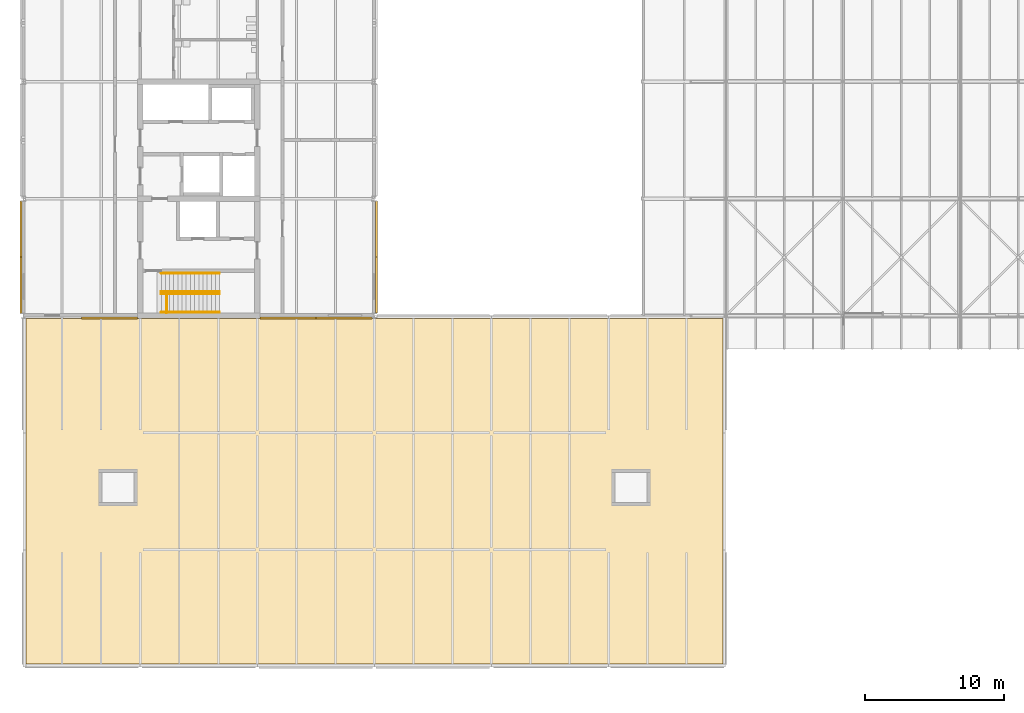
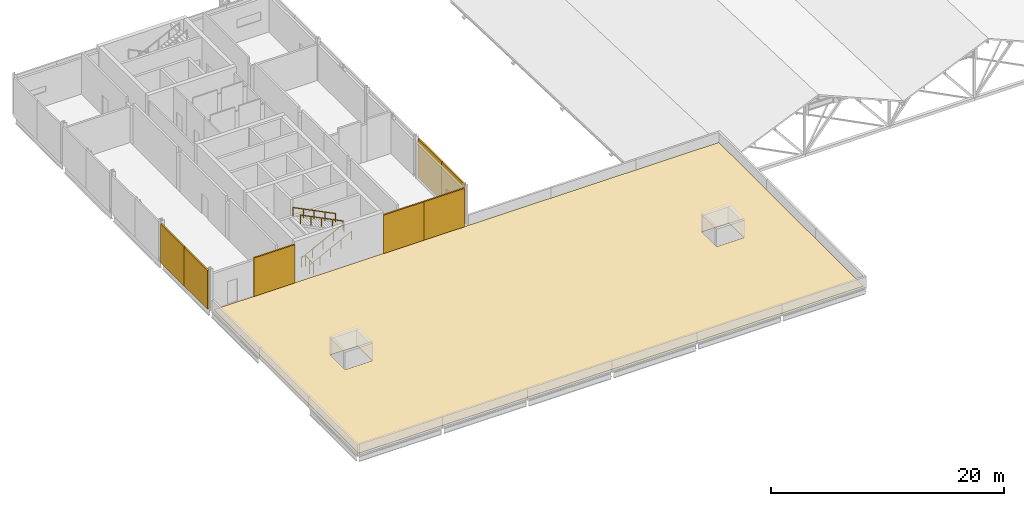
# One storey, part 69 of 76: 7 shading devices, 5 railings, 1 covering.
"""IFC4 building model written with IfcOpenShell, lengths in metres."""

from ifc_helpers import new_model, si_unit, direction, frame, origin, origin_2d, place, context, subcontext, project, spatial, polyline, rectangle, circle, outline, extrude, material, layer, layer_set, type_object, element, save


model = new_model("IFC4")

# Units and contexts
model_context = context("Model", 3, precision=1e-05, world=origin(), true_north=direction((0.0, 1.0)))
body_context = subcontext(model_context, "Body", "Model", "MODEL_VIEW")
ifc_project = project(units=[si_unit("LENGTHUNIT", "METRE"), si_unit("AREAUNIT", "SQUARE_METRE"), si_unit("VOLUMEUNIT", "CUBIC_METRE"), si_unit("PLANEANGLEUNIT", "RADIAN"), si_unit("MASSUNIT", "GRAM", prefix="KILO")], contexts=[model_context])

# Site, building, storey
site_placement = place(None, origin())
site = spatial("IfcSite", under=ifc_project, at=site_placement, CompositionType="ELEMENT")
building_placement = place(site_placement, origin())
building = spatial("IfcBuilding", under=site, at=building_placement, Name="Hlaing Beacon Police Headquarters", CompositionType="ELEMENT")
storey_placement = place(building_placement, frame((0.0, 0.0, 18.89990234375)))
storey = spatial("IfcBuildingStorey", under=building, at=storey_placement, Name="L04", CompositionType="ELEMENT", Elevation=18.89990234375)

# Shading devices
ifc_material_1 = material(Name="Perforated aluminium", Category="aluminium")
ifc_layer_1 = layer(ifc_material_1, 0.14990234375)
ifc_layer_set_1 = layer_set([ifc_layer_1], Name="Perforated aluminium")
shading_device_type = type_object("IfcShadingDeviceType", Name="Perforated screen panel 150", PredefinedType="JALOUSIE", material=ifc_layer_set_1)
shading_device_placement = place(storey_placement, frame((14.58740234375, 33.449951171875, 0.0), z_axis=(0.0, 0.0, 1.0), x_axis=(1.0, 0.0, 0.0)))
element("IfcShadingDevice", 1, at=shading_device_placement, inside=storey, type_object=shading_device_type, Name="Screen L04 S004", PredefinedType="JALOUSIE", context=body_context, shape_type="SweptSolid", body=[
    extrude(rectangle(XDim=4.02490234375, YDim=0.14990234375, at=origin_2d()), origin(), (0.0, 0.0, 1.0), 4.070068359375),
])
for number, where, z_axis, x_axis, name in (
    (2, (27.403564453125, 33.449951171875, 0.0), (0.0, 0.0, 1.0), (1.0, 0.0, 0.0), "Screen L04 S005"),
    (3, (31.410888671875, 33.449951171875, 0.0), (0.0, 0.0, 1.0), (1.0, 0.0, 0.0), "Screen L04 S006"),
):
    element("IfcShadingDevice", number, at=place(storey_placement, frame(where, z_axis=z_axis, x_axis=x_axis)), inside=storey, type_object=shading_device_type, Name=name, PredefinedType="JALOUSIE", context=body_context, shape_type="SweptSolid", body=[
        extrude(rectangle(XDim=4.00732421875, YDim=0.14990234375, at=origin_2d()), origin(), (0.0, 0.0, 1.0), 4.070068359375),
    ])
for number, where, z_axis, x_axis, name in (
    (4, (33.75, 35.7900390625, 0.0), (0.0, 0.0, 1.0), (0.0, 1.0, 0.0), "Screen L04 E007"),
    (5, (33.75, 39.809814453125, 0.0), (0.0, 0.0, 1.0), (0.0, 1.0, 0.0), "Screen L04 E008"),
):
    element("IfcShadingDevice", number, at=place(storey_placement, frame(where, z_axis=z_axis, x_axis=x_axis)), inside=storey, type_object=shading_device_type, Name=name, PredefinedType="JALOUSIE", context=body_context, shape_type="SweptSolid", body=[
        extrude(rectangle(XDim=4.019775390625, YDim=0.14990234375, at=origin_2d()), origin(), (0.0, 0.0, 1.0), 4.070068359375),
    ])
for number, where, z_axis, x_axis, name in (
    (6, (8.25, 39.808837890625, 0.0), (0.0, 0.0, 1.0), (0.0, -1.0, 0.0), "Screen L04 W025"),
    (7, (8.25, 35.787353515625, 0.0), (0.0, 0.0, 1.0), (0.0, -1.0, 0.0), "Screen L04 W026"),
):
    element("IfcShadingDevice", number, at=place(storey_placement, frame(where, z_axis=z_axis, x_axis=x_axis)), inside=storey, type_object=shading_device_type, Name=name, PredefinedType="JALOUSIE", context=body_context, shape_type="SweptSolid", body=[
        extrude(rectangle(XDim=4.021484375, YDim=0.14990234375, at=origin_2d()), origin(), (0.0, 0.0, 1.0), 4.070068359375),
    ])

# Covering
ifc_material_2 = material(Name="Bituminous roofing membrane")
ifc_layer_2 = layer(ifc_material_2, 0.050048828125)
ifc_layer_set_2 = layer_set([ifc_layer_2], Name="Bituminous roofing membrane")
covering_type = type_object("IfcCoveringType", Name="Roofing membrane 50", PredefinedType="ROOFING", material=ifc_layer_set_2)
covering_placement = place(storey_placement, origin())
element("IfcCovering", 8, at=covering_placement, inside=storey, type_object=covering_type, Name="Roofing V4 1", PredefinedType="ROOFING", context=body_context, shape_type="SweptSolid", body=[
    extrude(outline(polyline([(58.60009765625, 33.39990234375), (58.60009765625, 8.60009765625), (8.60009765625, 8.60009765625), (8.60009765625, 33.39990234375), (58.60009765625, 33.39990234375)]), holes=[polyline([(53.35009765625, 22.550048828125), (50.64990234375, 22.550048828125), (50.64990234375, 20.0), (53.35009765625, 20.0), (53.35009765625, 22.550048828125)]), polyline([(16.550048828125, 22.550048828125), (13.85009765625, 22.550048828125), (13.85009765625, 20.0), (16.550048828125, 20.0), (16.550048828125, 22.550048828125)])]), origin(), (0.0, 0.0, 1.0), 0.050048828125),
])

# Railings
ifc_material_3 = material(Name="Stainless steel", Category="steel")
railing_type_1 = type_object("IfcRailingType", Name="Stair guard 1100", PredefinedType="GUARDRAIL", material=ifc_material_3)
railing_placement = place(storey_placement, frame((18.699951171875, 33.800048828125, 0.0)))
element("IfcRailing", 9, at=railing_placement, inside=storey, type_object=railing_type_1, Name="Guard ST-N", PredefinedType="GUARDRAIL", context=body_context, shape_type="SweptSolid", body=[
    extrude(circle(Radius=0.02392578125, at=origin_2d()), frame((0.0, 0.0, 1.076171875), z_axis=(0.0, 1.0, 0.0), x_axis=(-1.0, 0.0, 0.0)), (0.0, 0.0, 1.0), 1.39990234375),
    extrude(circle(Radius=0.02392578125, at=origin_2d()), frame((0.0, 1.39990234375, 1.076171875), z_axis=(-1.0, 0.0, 0.0), x_axis=(0.0, -1.0, 0.0)), (0.0, 0.0, 1.0), 0.39990234375),
    extrude(circle(Radius=0.02099609375, at=origin_2d()), origin(), (0.0, 0.0, 1.0), 1.052001953125),
    extrude(circle(Radius=0.02099609375, at=origin_2d()), frame((0.0, 0.699951171875, 0.0)), (0.0, 0.0, 1.0), 1.052001953125),
    extrude(circle(Radius=0.02099609375, at=origin_2d()), frame((0.0, 1.39990234375, 0.0)), (0.0, 0.0, 1.0), 1.052001953125),
    extrude(circle(Radius=0.02099609375, at=origin_2d()), frame((-0.39990234375, 1.39990234375, 0.0)), (0.0, 0.0, 1.0), 1.052001953125),
])
ifc_material_4 = material(Name="Stainless steel", Category="steel")
railing_type_2 = type_object("IfcRailingType", Name="Stair handrail 900", PredefinedType="HANDRAIL", material=ifc_material_4)
for number, where, name in (
    (10, (18.300048828125, 33.85009765625, 0.150146484375), "Handrail ST-N"),
    (11, (18.300048828125, 35.14990234375, 0.150146484375), "Handrail ST-N"),
):
    element("IfcRailing", number, at=place(storey_placement, frame(where)), inside=storey, type_object=railing_type_2, Name=name, PredefinedType="HANDRAIL", context=body_context, shape_type="SweptSolid", body=[
        extrude(circle(Radius=0.02392578125, at=origin_2d()), frame((0.0, 0.0, 0.8759765625), z_axis=(0.894437589381, 0.0, 0.447192798132), x_axis=(0.0, 1.0, 0.0)), (0.0, 0.0, 1.0), 4.695556640625),
        extrude(circle(Radius=0.02099609375, at=origin_2d()), origin(), (0.0, 0.0, 1.0), 0.851806640625),
        extrude(circle(Radius=0.02099609375, at=origin_2d()), frame((1.050048828125, 0.0, 0.52490234375)), (0.0, 0.0, 1.0), 0.851806640625),
        extrude(circle(Radius=0.02099609375, at=origin_2d()), frame((2.10009765625, 0.0, 1.0498046875)), (0.0, 0.0, 1.0), 0.851806640625),
        extrude(circle(Radius=0.02099609375, at=origin_2d()), frame((3.14990234375, 0.0, 1.574951171875)), (0.0, 0.0, 1.0), 0.851806640625),
        extrude(circle(Radius=0.02099609375, at=origin_2d()), frame((4.199951171875, 0.0, 2.099853515625)), (0.0, 0.0, 1.0), 0.851806640625),
    ])
for number, where, name in (
    (12, (22.5, 35.35009765625, 2.400146484375), "Handrail ST-N"),
    (13, (22.5, 36.64990234375, 2.400146484375), "Handrail ST-N"),
):
    element("IfcRailing", number, at=place(storey_placement, frame(where)), inside=storey, type_object=railing_type_2, Name=name, PredefinedType="HANDRAIL", context=body_context, shape_type="SweptSolid", body=[
        extrude(circle(Radius=0.02392578125, at=origin_2d()), frame((0.0, 0.0, 0.8759765625), z_axis=(-0.894437589381, 0.0, 0.447192798132), x_axis=(0.0, -1.0, 0.0)), (0.0, 0.0, 1.0), 4.695556640625),
        extrude(circle(Radius=0.02099609375, at=origin_2d()), origin(), (0.0, 0.0, 1.0), 0.851806640625),
        extrude(circle(Radius=0.02099609375, at=origin_2d()), frame((-1.050048828125, 0.0, 0.52490234375)), (0.0, 0.0, 1.0), 0.851806640625),
        extrude(circle(Radius=0.02099609375, at=origin_2d()), frame((-2.10009765625, 0.0, 1.0498046875)), (0.0, 0.0, 1.0), 0.851806640625),
        extrude(circle(Radius=0.02099609375, at=origin_2d()), frame((-3.14990234375, 0.0, 1.574951171875)), (0.0, 0.0, 1.0), 0.851806640625),
        extrude(circle(Radius=0.02099609375, at=origin_2d()), frame((-4.199951171875, 0.0, 2.099853515625)), (0.0, 0.0, 1.0), 0.851806640625),
    ])

save(model, "model.ifc")
